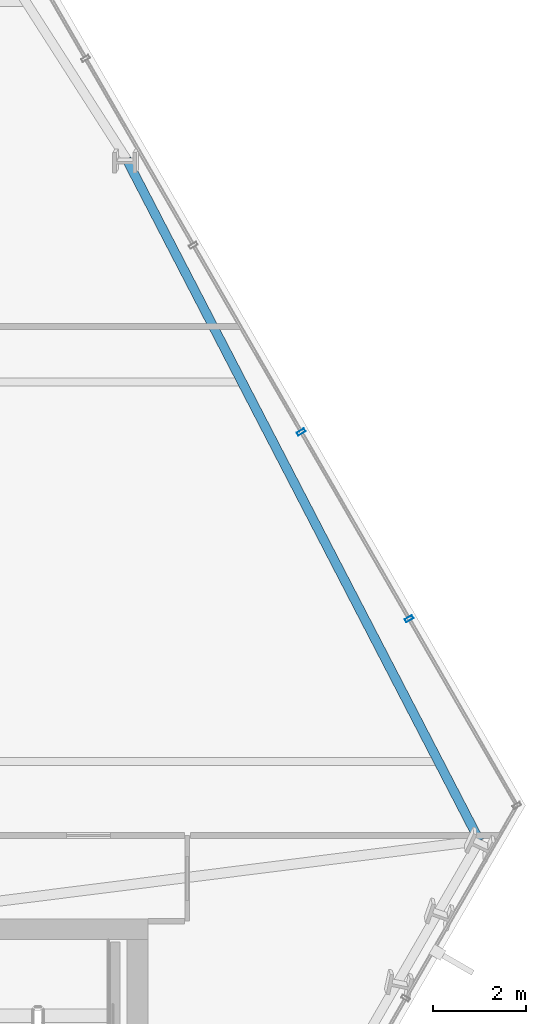
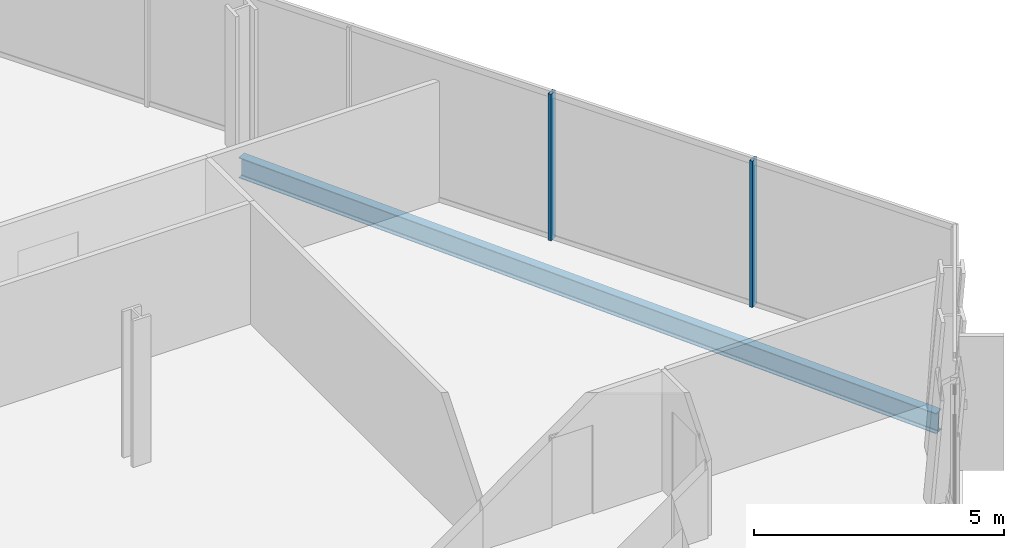
# One storey, part 19 of 33: 2 members, 1 beam, 1 element without a shape of its own.
"""IFC4 building model written with IfcOpenShell, lengths in metres."""

from ifc_helpers import new_model, si_unit, direction, frame, origin, origin_2d, place, context, subcontext, project, spatial, hollow_rectangle, i_section, extrude, material, layer, layer_set, material_profile, profile_set, type_object, element, aggregate, save


model = new_model("IFC4")

# Units and contexts
model_context = context("Model", 3, precision=1e-05, world=origin(), true_north=direction((0.0, 1.0)))
body_context = subcontext(model_context, "Body", "Model", "MODEL_VIEW")
ifc_project = project(units=[si_unit("LENGTHUNIT", "METRE"), si_unit("AREAUNIT", "SQUARE_METRE"), si_unit("VOLUMEUNIT", "CUBIC_METRE"), si_unit("PLANEANGLEUNIT", "RADIAN"), si_unit("MASSUNIT", "GRAM", prefix="KILO")], contexts=[model_context])

# Site, building, storey
site_placement = place(None, origin())
site = spatial("IfcSite", under=ifc_project, at=site_placement, CompositionType="ELEMENT")
building_placement = place(site_placement, origin())
building = spatial("IfcBuilding", under=site, at=building_placement, Name="Ndaravel Arena Tower", CompositionType="ELEMENT")
storey_placement = place(building_placement, frame((0.0, 0.0, 89.199951171875)))
storey = spatial("IfcBuildingStorey", under=building, at=storey_placement, Name="L20", CompositionType="ELEMENT", Elevation=89.199951171875)

# Beam
ifc_material_1 = material(Name="Steel S355", Category="steel")
ifc_material_profile_1 = material_profile(ifc_material_1, i_section(OverallWidth=0.199951171875, OverallDepth=0.5, WebThickness=0.01025390625, FlangeThickness=0.01611328125, FilletRadius=0.02099609375, at=origin_2d()), Name="IPE 500")
ifc_profile_set_1 = profile_set([ifc_material_profile_1], Name="Steel S355")
beam_type = type_object("IfcBeamType", Name="BM-SPAN-IPE500", PredefinedType="SPANDREL", material=ifc_profile_set_1)
beam_placement = place(storey_placement, frame((64.710205078125, 16.887451171875, -0.469970703125), z_axis=(-0.459755761058, 0.888045404342, 0.0), x_axis=(-0.888045404342, -0.459755761058, 0.0)))
element("IfcBeam", 1, at=beam_placement, inside=storey, type_object=beam_type, Name="L20 Perimeter Spandrel Beam SP-09", PredefinedType="SPANDREL", context=body_context, shape_type="SweptSolid", body=[
    extrude(i_section(OverallWidth=0.199951171875, OverallDepth=0.5, WebThickness=0.01025390625, FlangeThickness=0.01611328125, FilletRadius=0.02099609375, at=origin_2d()), origin(), (0.0, 0.0, 1.0), 16.58056640625),
])

# Curtain wall, members
ifc_material_2 = material(Name="Aluminium", Category="aluminium")
ifc_layer = layer(ifc_material_2, 0.179931640625)
ifc_layer_set = layer_set([ifc_layer], Name="Aluminium")
curtain_wall_type = type_object("IfcCurtainWallType", Name="CW-SYS-03", PredefinedType="NOTDEFINED", material=ifc_layer_set)
curtain_wall_placement = place(storey_placement, origin())
curtain_wall = element("IfcCurtainWall", 2, at=curtain_wall_placement, inside=storey, type_object=curtain_wall_type, Name="L20 Faceted Crystal Curtain Wall CW-L20-E03", PredefinedType="NOTDEFINED")
ifc_material_3 = material(Name="Aluminium", Category="aluminium")
ifc_material_profile_2 = material_profile(ifc_material_3, hollow_rectangle(XDim=0.074951171875, YDim=0.179931640625, WallThickness=0.00390625, at=origin_2d()), Name="CW MULLION 75x180x4")
ifc_profile_set_2 = profile_set([ifc_material_profile_2], Name="Aluminium")
member_type = type_object("IfcMemberType", Name="MEM-CW-MUL180", PredefinedType="MULLION", material=ifc_profile_set_2)
member_1_placement = place(storey_placement, frame((63.18896484375, 21.683349609375, 0.0), z_axis=(0.0, 0.0, 1.0), x_axis=(-0.5, 0.866025403784, 0.0)))
member_1 = element("IfcMember", 3, at=member_1_placement, type_object=member_type, Name="CW-L20-E03 Mullion 01", PredefinedType="MULLION", context=body_context, shape_type="SweptSolid", body=[
    extrude(hollow_rectangle(XDim=0.074951171875, YDim=0.179931640625, WallThickness=0.00390625, at=origin_2d()), origin(), (0.0, 0.0, 1.0), 3.580078125),
])
member_2_placement = place(storey_placement, frame((60.859130859375, 25.71875, 0.0), z_axis=(0.0, 0.0, 1.0), x_axis=(-0.5, 0.866025403784, 0.0)))
member_2 = element("IfcMember", 4, at=member_2_placement, type_object=member_type, Name="CW-L20-E03 Mullion 02", PredefinedType="MULLION", context=body_context, shape_type="SweptSolid", body=[
    extrude(hollow_rectangle(XDim=0.074951171875, YDim=0.179931640625, WallThickness=0.00390625, at=origin_2d()), origin(), (0.0, 0.0, 1.0), 3.580078125),
])
aggregate(curtain_wall, [member_1, member_2])

save(model, "model.ifc")
